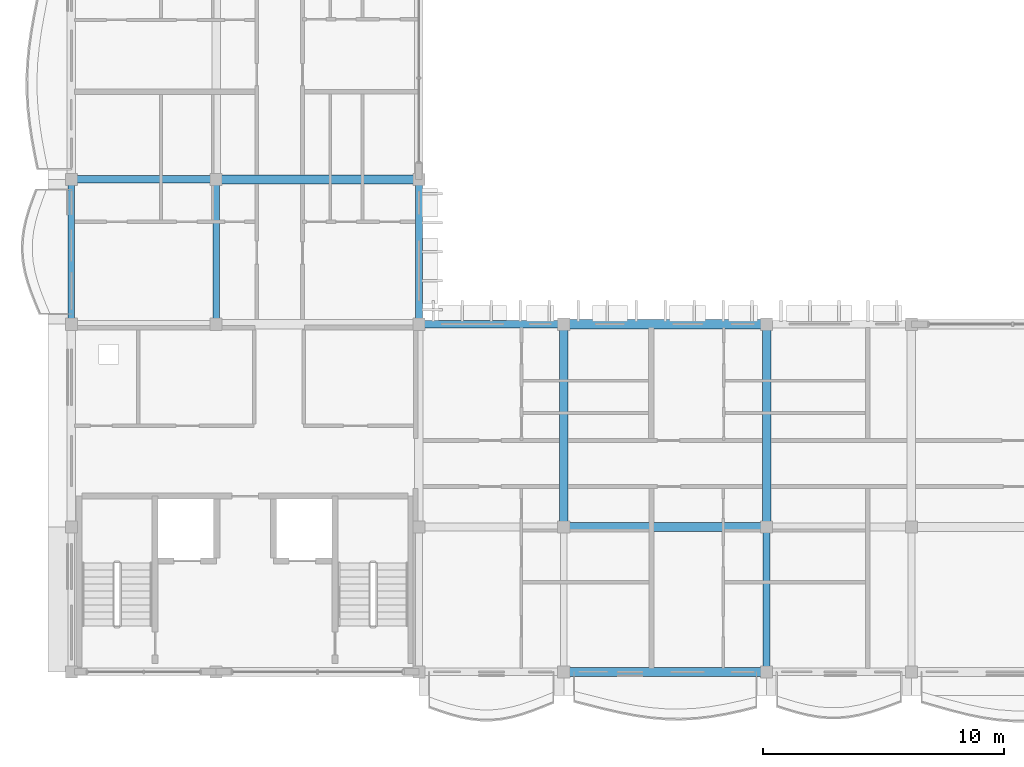
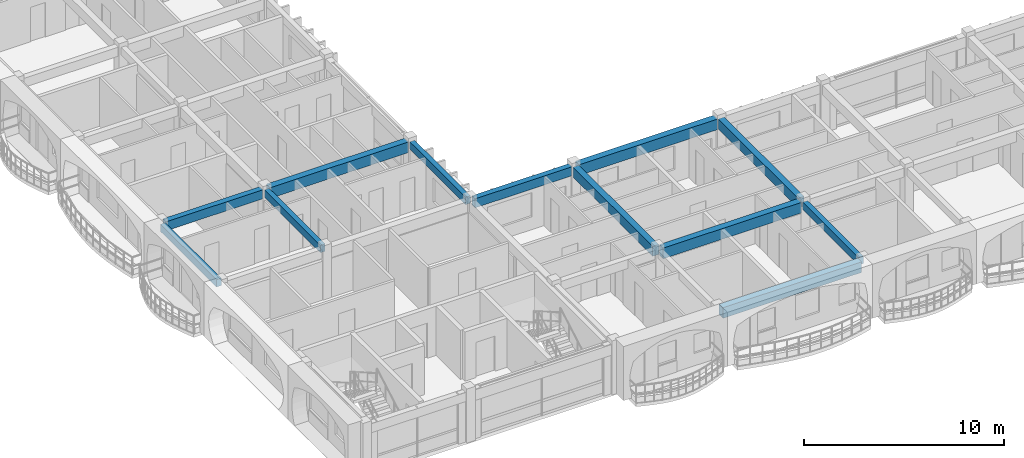
# One storey, part 4 of 68: 12 beams.
"""IFC4 building model written with IfcOpenShell, lengths in metres."""

from ifc_helpers import new_model, si_unit, direction, frame, origin, origin_2d, place, context, subcontext, project, spatial, rectangle, extrude, material, material_profile, profile_set, type_object, element, save


model = new_model("IFC4")

# Units and contexts
model_context = context("Model", 3, precision=1e-05, world=origin(), true_north=direction((0.0, 1.0)))
body_context = subcontext(model_context, "Body", "Model", "MODEL_VIEW")
ifc_project = project(units=[si_unit("LENGTHUNIT", "METRE"), si_unit("AREAUNIT", "SQUARE_METRE"), si_unit("VOLUMEUNIT", "CUBIC_METRE"), si_unit("PLANEANGLEUNIT", "RADIAN"), si_unit("MASSUNIT", "GRAM", prefix="KILO"), si_unit("THERMODYNAMICTEMPERATUREUNIT", "KELVIN")], contexts=[model_context])

# Site, building, storey
site_placement = place(None, origin())
site = spatial("IfcSite", under=ifc_project, at=site_placement, CompositionType="ELEMENT")
building_placement = place(site_placement, origin())
building = spatial("IfcBuilding", under=site, at=building_placement, Name="Thalorik Housing Commons", CompositionType="ELEMENT")
storey_placement = place(building_placement, frame((0.0, 0.0, 24.60009765625)))
storey = spatial("IfcBuildingStorey", under=building, at=storey_placement, Name="L07", CompositionType="ELEMENT", Elevation=24.60009765625)

# Beams
ifc_material = material(Name="Precast concrete C40/50", Category="concrete")
ifc_material_profile_1 = material_profile(ifc_material, rectangle(XDim=0.280029296875, YDim=0.449951171875, at=origin_2d()), Name="PC 280x450", Category="concrete")
ifc_profile_set_1 = profile_set([ifc_material_profile_1], Name="Precast concrete C40/50")
beam_type_1 = type_object("IfcBeamType", Name="STR-BM-PC280x450", PredefinedType="BEAM", material=ifc_profile_set_1)
for number, where, z_axis, x_axis, name in (
    (1, (8.39990234375, 23.0, 2.81494140625), (0.0, 1.0, 0.0), (-1.0, 0.0, 0.0), "L07 Beam B-450"),
    (2, (14.39990234375, 23.0, 2.81494140625), (0.0, 1.0, 0.0), (-1.0, 0.0, 0.0), "L07 Beam B-450"),
    (3, (22.800048828125, 23.0, 2.81494140625), (0.0, 1.0, 0.0), (-1.0, 0.0, 0.0), "L07 Beam B-450"),
):
    element("IfcBeam", number, at=place(storey_placement, frame(where, z_axis=z_axis, x_axis=x_axis)), inside=storey, type_object=beam_type_1, Name=name, PredefinedType="BEAM", context=body_context, shape_type="SweptSolid", body=[
        extrude(rectangle(XDim=0.280029296875, YDim=0.449951171875, at=origin_2d()), origin(), (0.0, 0.0, 1.0), 5.60009765625),
    ])
beam_1_placement = place(storey_placement, frame((37.199951171875, 8.60009765625, 2.81494140625), z_axis=(0.0, 1.0, 0.0), x_axis=(-1.0, 0.0, 0.0)))
element("IfcBeam", 4, at=beam_1_placement, inside=storey, type_object=beam_type_1, Name="L07 Beam B-450", PredefinedType="BEAM", context=body_context, shape_type="SweptSolid", body=[
    extrude(rectangle(XDim=0.280029296875, YDim=0.449951171875, at=origin_2d()), origin(), (0.0, 0.0, 1.0), 5.599853515625),
])
ifc_material_profile_2 = material_profile(ifc_material, rectangle(XDim=0.320068359375, YDim=0.550048828125, at=origin_2d()), Name="PC 320x550", Category="concrete")
ifc_profile_set_2 = profile_set([ifc_material_profile_2], Name="Precast concrete C40/50")
beam_type_2 = type_object("IfcBeamType", Name="STR-BM-PC320x550", PredefinedType="BEAM", material=ifc_profile_set_2)
beam_2_placement = place(storey_placement, frame((23.0, 22.800048828125, 2.764892578125), z_axis=(1.0, 0.0, 0.0), x_axis=(0.0, 1.0, 0.0)))
element("IfcBeam", 5, at=beam_2_placement, inside=storey, type_object=beam_type_2, Name="L07 Beam B-550", PredefinedType="BEAM", context=body_context, shape_type="SweptSolid", body=[
    extrude(rectangle(XDim=0.320068359375, YDim=0.550048828125, at=origin_2d()), origin(), (0.0, 0.0, 1.0), 5.60009765625),
])
beam_3_placement = place(storey_placement, frame((8.60009765625, 28.800048828125, 2.764892578125), z_axis=(1.0, 0.0, 0.0), x_axis=(0.0, 1.0, 0.0)))
element("IfcBeam", 6, at=beam_3_placement, inside=storey, type_object=beam_type_2, Name="L07 Beam B-550", PredefinedType="BEAM", context=body_context, shape_type="SweptSolid", body=[
    extrude(rectangle(XDim=0.320068359375, YDim=0.550048828125, at=origin_2d()), origin(), (0.0, 0.0, 1.0), 5.599853515625),
])
ifc_material_profile_3 = material_profile(ifc_material, rectangle(XDim=0.35009765625, YDim=0.60009765625, at=origin_2d()), Name="PC 350x600", Category="concrete")
ifc_profile_set_3 = profile_set([ifc_material_profile_3], Name="Precast concrete C40/50")
beam_type_3 = type_object("IfcBeamType", Name="STR-BM-PC350x600", PredefinedType="BEAM", material=ifc_profile_set_3)
for number, where, z_axis, x_axis, name in (
    (7, (28.800048828125, 14.60009765625, 2.739990234375), (0.0, 1.0, 0.0), (-1.0, 0.0, 0.0), "L07 Beam B-600"),
    (8, (37.199951171875, 14.60009765625, 2.739990234375), (0.0, 1.0, 0.0), (-1.0, 0.0, 0.0), "L07 Beam B-600"),
):
    element("IfcBeam", number, at=place(storey_placement, frame(where, z_axis=z_axis, x_axis=x_axis)), inside=storey, type_object=beam_type_3, Name=name, PredefinedType="BEAM", context=body_context, shape_type="SweptSolid", body=[
        extrude(rectangle(XDim=0.35009765625, YDim=0.60009765625, at=origin_2d()), origin(), (0.0, 0.0, 1.0), 8.0),
    ])
ifc_material_profile_4 = material_profile(ifc_material, rectangle(XDim=0.3798828125, YDim=0.64990234375, at=origin_2d()), Name="PC 380x650", Category="concrete")
ifc_profile_set_4 = profile_set([ifc_material_profile_4], Name="Precast concrete C40/50")
beam_type_4 = type_object("IfcBeamType", Name="STR-BM-PC380x650", PredefinedType="BEAM", material=ifc_profile_set_4)
for number, where, z_axis, x_axis, name in (
    (9, (29.0, 8.39990234375, 2.71484375), (1.0, 0.0, 0.0), (0.0, 1.0, 0.0), "L07 Beam B-650"),
    (10, (29.0, 14.39990234375, 2.71484375), (1.0, 0.0, 0.0), (0.0, 1.0, 0.0), "L07 Beam B-650"),
    (11, (29.0, 22.800048828125, 2.71484375), (1.0, 0.0, 0.0), (0.0, 1.0, 0.0), "L07 Beam B-650"),
    (12, (14.60009765625, 28.800048828125, 2.71484375), (1.0, 0.0, 0.0), (0.0, 1.0, 0.0), "L07 Beam B-650"),
):
    element("IfcBeam", number, at=place(storey_placement, frame(where, z_axis=z_axis, x_axis=x_axis)), inside=storey, type_object=beam_type_4, Name=name, PredefinedType="BEAM", context=body_context, shape_type="SweptSolid", body=[
        extrude(rectangle(XDim=0.3798828125, YDim=0.64990234375, at=origin_2d()), origin(), (0.0, 0.0, 1.0), 8.0),
    ])

save(model, "model.ifc")
